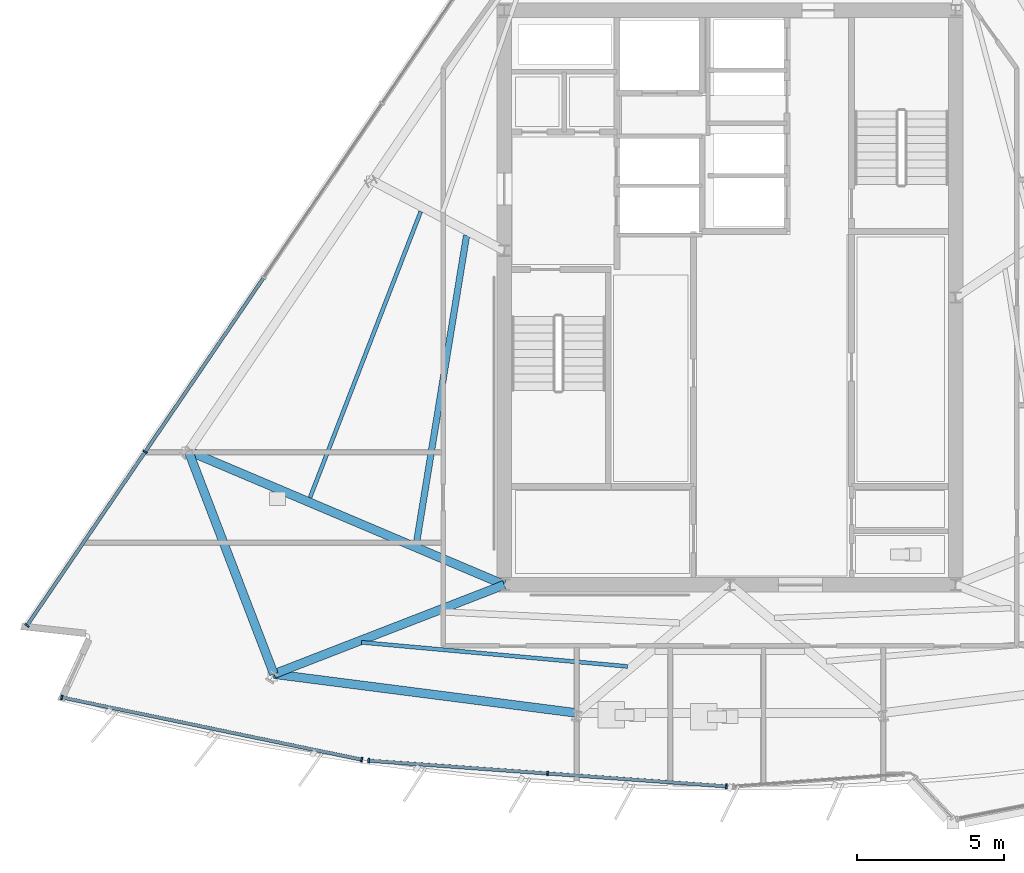
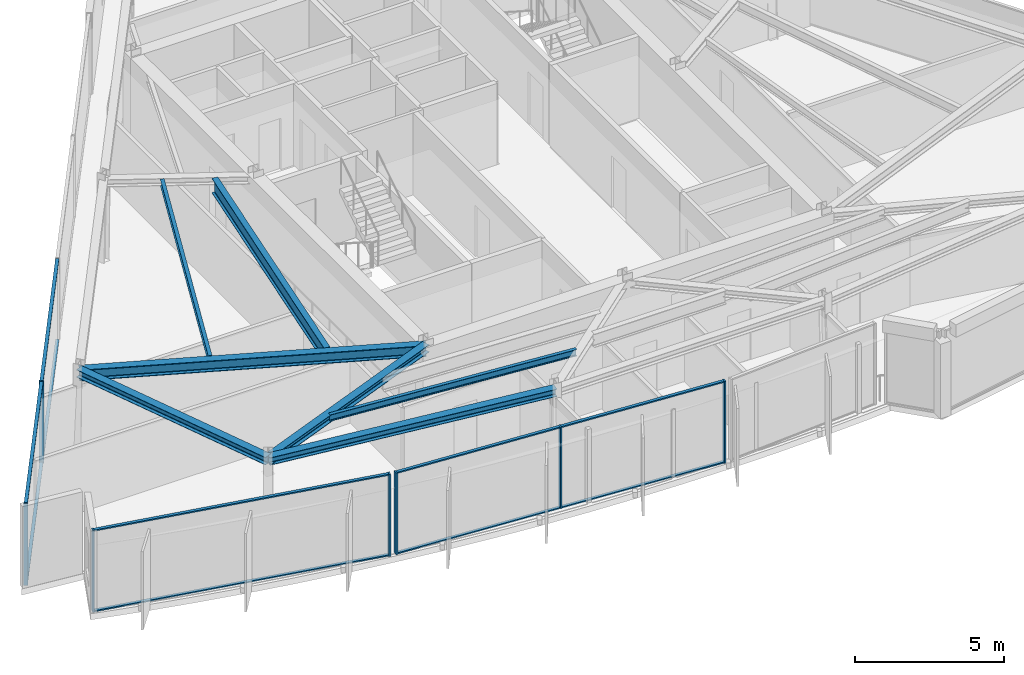
# One storey, part 2 of 13: 17 members, 7 beams, 3 elements without a shape of their own.
"""IFC4 building model written with IfcOpenShell, lengths in metres."""

from ifc_helpers import new_model, si_unit, direction, frame, origin, origin_2d, place, context, subcontext, project, spatial, rectangle, i_section, extrude, material, material_profile, profile_set, type_object, element, aggregate, save


model = new_model("IFC4")

# Units and contexts
model_context = context("Model", 3, precision=1e-05, world=origin(), true_north=direction((0.0, 1.0)))
body_context = subcontext(model_context, "Body", "Model", "MODEL_VIEW")
ifc_project = project(units=[si_unit("LENGTHUNIT", "METRE"), si_unit("AREAUNIT", "SQUARE_METRE"), si_unit("VOLUMEUNIT", "CUBIC_METRE"), si_unit("PLANEANGLEUNIT", "RADIAN"), si_unit("MASSUNIT", "GRAM", prefix="KILO")], contexts=[model_context])

# Site, building, storey
site_placement = place(None, origin())
site = spatial("IfcSite", under=ifc_project, at=site_placement, CompositionType="ELEMENT")
building_placement = place(site_placement, origin())
building = spatial("IfcBuilding", under=site, at=building_placement, Name="Savorim Split Tower", CompositionType="ELEMENT")
storey_placement = place(building_placement, frame((0.0, 0.0, 265.199951171875)))
storey = spatial("IfcBuildingStorey", under=building, at=storey_placement, Name="L70", CompositionType="ELEMENT", Elevation=265.199951171875)

# Beams
ifc_material_1 = material(Name="Steel S355", Category="steel")
ifc_material_profile_1 = material_profile(ifc_material_1, i_section(OverallWidth=0.135009765625, OverallDepth=0.27001953125, WebThickness=0.006591796875, FlangeThickness=0.01025390625, FilletRadius=0.014892578125, at=origin_2d()), Name="IPE 270")
ifc_profile_set_1 = profile_set([ifc_material_profile_1], Name="Steel S355")
beam_type_1 = type_object("IfcBeamType", Name="BM-JST-IPE270", PredefinedType="JOIST", material=ifc_profile_set_1)
beam_1_placement = place(storey_placement, frame((-12.569580078125, -11.364501953125, 3.215087890625), z_axis=(0.99592827661, -0.090149142248, 0.0), x_axis=(0.090149142248, 0.99592827661, 0.0)))
element("IfcBeam", 1, at=beam_1_placement, inside=storey, type_object=beam_type_1, Name="L70 Secondary Floor Joist JS-01", PredefinedType="JOIST", context=body_context, shape_type="SweptSolid", body=[
    extrude(i_section(OverallWidth=0.135009765625, OverallDepth=0.27001953125, WebThickness=0.006591796875, FlangeThickness=0.01025390625, FilletRadius=0.014892578125, at=origin_2d()), origin(), (0.0, 0.0, 1.0), 9.1103515625),
])
beam_2_placement = place(storey_placement, frame((-10.550537109375, 3.330078125, 3.215087890625), z_axis=(-0.360951519163, -0.932584581051, 0.0), x_axis=(0.932584581051, -0.360951519163, 0.0)))
element("IfcBeam", 2, at=beam_2_placement, inside=storey, type_object=beam_type_1, Name="L70 Secondary Floor Joist JS-10", PredefinedType="JOIST", context=body_context, shape_type="SweptSolid", body=[
    extrude(i_section(OverallWidth=0.135009765625, OverallDepth=0.27001953125, WebThickness=0.006591796875, FlangeThickness=0.01025390625, FilletRadius=0.014892578125, at=origin_2d()), origin(), (0.0, 0.0, 1.0), 10.454833984375),
])
ifc_material_profile_2 = material_profile(ifc_material_1, i_section(OverallWidth=0.219970703125, OverallDepth=0.60009765625, WebThickness=0.011962890625, FlangeThickness=0.01904296875, FilletRadius=0.02392578125, at=origin_2d()), Name="IPE 600")
ifc_profile_set_2 = profile_set([ifc_material_profile_2], Name="Steel S355")
beam_type_2 = type_object("IfcBeamType", Name="BM-JST-IPE600", PredefinedType="JOIST", material=ifc_profile_set_2)
beam_3_placement = place(storey_placement, frame((-8.987060546875, 2.51025390625, 3.050048828125), z_axis=(-0.160655795437, -0.987010494064, 0.0), x_axis=(0.987010494064, -0.160655795437, 0.0)))
element("IfcBeam", 3, at=beam_3_placement, inside=storey, type_object=beam_type_2, Name="L70 Secondary Floor Joist JS-11", PredefinedType="JOIST", context=body_context, shape_type="SweptSolid", body=[
    extrude(i_section(OverallWidth=0.219970703125, OverallDepth=0.60009765625, WebThickness=0.011962890625, FlangeThickness=0.01904296875, FilletRadius=0.02392578125, at=origin_2d()), origin(), (0.0, 0.0, 1.0), 10.61181640625),
])
ifc_material_profile_3 = material_profile(ifc_material_1, i_section(OverallWidth=0.300048828125, OverallDepth=0.300048828125, WebThickness=0.010986328125, FlangeThickness=0.01904296875, FilletRadius=0.027099609375, at=origin_2d()), Name="HEB 300")
ifc_profile_set_3 = profile_set([ifc_material_profile_3], Name="Steel S355")
beam_type_3 = type_object("IfcBeamType", Name="BM-PRI-HEB300", PredefinedType="BEAM", material=ifc_profile_set_3)
beam_4_placement = place(storey_placement, frame((-15.5576171875, -12.447021484375, 3.199951171875), z_axis=(0.932350547617, 0.361555606177, 0.0), x_axis=(-0.361555606177, 0.932350547617, 0.0)))
element("IfcBeam", 4, at=beam_4_placement, inside=storey, type_object=beam_type_3, Name="L70 Primary Floor Girder RG-01", PredefinedType="BEAM", context=body_context, shape_type="SweptSolid", body=[
    extrude(i_section(OverallWidth=0.300048828125, OverallDepth=0.300048828125, WebThickness=0.010986328125, FlangeThickness=0.01904296875, FilletRadius=0.027099609375, at=origin_2d()), origin(), (0.0, 0.0, 1.0), 8.427734375),
])
ifc_material_profile_4 = material_profile(ifc_material_1, i_section(OverallWidth=0.300048828125, OverallDepth=0.449951171875, WebThickness=0.013916015625, FlangeThickness=0.02587890625, FilletRadius=0.027099609375, at=origin_2d()), Name="HEB 450")
ifc_profile_set_4 = profile_set([ifc_material_profile_4], Name="Steel S355")
beam_type_4 = type_object("IfcBeamType", Name="BM-PRI-HEB450", PredefinedType="BEAM", material=ifc_profile_set_4)
beam_5_placement = place(storey_placement, frame((-18.47705078125, -4.834228515625, 3.125), z_axis=(0.920779151092, -0.390084292064, 0.0), x_axis=(0.390084292064, 0.920779151092, 0.0)))
element("IfcBeam", 5, at=beam_5_placement, inside=storey, type_object=beam_type_4, Name="L70 Primary Floor Girder RG-10", PredefinedType="BEAM", context=body_context, shape_type="SweptSolid", body=[
    extrude(i_section(OverallWidth=0.300048828125, OverallDepth=0.449951171875, WebThickness=0.013916015625, FlangeThickness=0.02587890625, FilletRadius=0.027099609375, at=origin_2d()), origin(), (0.0, 0.0, 1.0), 11.704345703125),
])
ifc_material_profile_5 = material_profile(ifc_material_1, i_section(OverallWidth=0.300048828125, OverallDepth=0.31005859375, WebThickness=0.009033203125, FlangeThickness=0.015380859375, FilletRadius=0.027099609375, at=origin_2d()), Name="HEA 320")
ifc_profile_set_5 = profile_set([ifc_material_profile_5], Name="Steel S355")
beam_type_5 = type_object("IfcBeamType", Name="BM-SPN-HEA320", PredefinedType="SPANDREL", material=ifc_profile_set_5)
beam_6_placement = place(storey_placement, frame((-15.5576171875, -12.447021484375, 3.195068359375), z_axis=(0.991857038743, -0.12735625111, 0.0), x_axis=(0.12735625111, 0.991857038743, 0.0)))
element("IfcBeam", 6, at=beam_6_placement, inside=storey, type_object=beam_type_5, Name="L70 Perimeter Spandrel Beam 1", PredefinedType="SPANDREL", context=body_context, shape_type="SweptSolid", body=[
    extrude(i_section(OverallWidth=0.300048828125, OverallDepth=0.31005859375, WebThickness=0.009033203125, FlangeThickness=0.015380859375, FilletRadius=0.027099609375, at=origin_2d()), origin(), (0.0, 0.0, 1.0), 10.428466796875),
])
beam_7_placement = place(storey_placement, frame((-18.47705078125, -4.834228515625, 3.195068359375), z_axis=(0.358063933362, -0.933697070588, 0.0), x_axis=(0.933697070588, 0.358063933362, 0.0)))
element("IfcBeam", 7, at=beam_7_placement, inside=storey, type_object=beam_type_5, Name="L70 Perimeter Spandrel Beam 10", PredefinedType="SPANDREL", context=body_context, shape_type="SweptSolid", body=[
    extrude(i_section(OverallWidth=0.300048828125, OverallDepth=0.31005859375, WebThickness=0.009033203125, FlangeThickness=0.015380859375, FilletRadius=0.027099609375, at=origin_2d()), origin(), (0.0, 0.0, 1.0), 8.1533203125),
])

# Curtain wall, members
ifc_material_2 = material(Name="Dark Ceramic-Fritted Insulated Glass", Category="glass")
curtain_wall_type = type_object("IfcCurtainWallType", Name="CW-TWR-FRIT-B", PredefinedType="NOTDEFINED", material=ifc_material_2)
curtain_wall_1_placement = place(storey_placement, origin())
curtain_wall_1 = element("IfcCurtainWall", 8, at=curtain_wall_1_placement, inside=storey, type_object=curtain_wall_type, Name="L70 Curtain Wall CW-L70-SF1A", PredefinedType="NOTDEFINED")
ifc_material_3 = material(Name="Charcoal Anodised Aluminium", Category="aluminium")
ifc_material_profile_6 = material_profile(ifc_material_3, rectangle(XDim=0.159912109375, YDim=0.06005859375, at=origin_2d()), Name="ALU-M 160x60")
ifc_profile_set_6 = profile_set([ifc_material_profile_6], Name="Charcoal Anodised Aluminium")
member_type_1 = type_object("IfcMemberType", Name="CWM-160x60", PredefinedType="MULLION", material=ifc_profile_set_6)
member_1_placement = place(storey_placement, frame((-22.79541015625, -13.24169921875, 0.0), z_axis=(0.0, 0.0, 1.0), x_axis=(0.20321026105, 0.979135123364, 0.0)))
member_1 = element("IfcMember", 9, at=member_1_placement, type_object=member_type_1, Name="CW-03 mullion 1", PredefinedType="MULLION", context=body_context, shape_type="SweptSolid", body=[
    extrude(rectangle(XDim=0.159912109375, YDim=0.06005859375, at=origin_2d()), origin(), (0.0, 0.0, 1.0), 3.35009765625),
])
member_2_placement = place(storey_placement, frame((-12.563232421875, -15.365234375, 0.0), z_axis=(0.0, 0.0, 1.0), x_axis=(0.20321026105, 0.979135123364, 0.0)))
member_2 = element("IfcMember", 10, at=member_2_placement, type_object=member_type_1, Name="CW-03 mullion 2", PredefinedType="MULLION", context=body_context, shape_type="SweptSolid", body=[
    extrude(rectangle(XDim=0.159912109375, YDim=0.06005859375, at=origin_2d()), origin(), (0.0, 0.0, 1.0), 3.35009765625),
])

curtain_wall_2_placement = place(storey_placement, origin())
curtain_wall_2 = element("IfcCurtainWall", 11, at=curtain_wall_2_placement, inside=storey, type_object=curtain_wall_type, Name="L70 Curtain Wall CW-L70-SF2A", PredefinedType="NOTDEFINED")
member_3_placement = place(storey_placement, frame((-12.322265625, -15.39892578125, 0.0), z_axis=(0.0, 0.0, 1.0), x_axis=(0.071564439004, 0.997435978432, 0.0)))
member_3 = element("IfcMember", 12, at=member_3_placement, type_object=member_type_1, Name="CW-03 mullion 1", PredefinedType="MULLION", context=body_context, shape_type="SweptSolid", body=[
    extrude(rectangle(XDim=0.159912109375, YDim=0.06005859375, at=origin_2d()), origin(), (0.0, 0.0, 1.0), 3.35009765625),
])
member_4_placement = place(storey_placement, frame((-6.2216796875, -15.836669921875, 0.0), z_axis=(0.0, 0.0, 1.0), x_axis=(0.071564439004, 0.997435978432, 0.0)))
member_4 = element("IfcMember", 13, at=member_4_placement, type_object=member_type_1, Name="CW-03 mullion 2", PredefinedType="MULLION", context=body_context, shape_type="SweptSolid", body=[
    extrude(rectangle(XDim=0.159912109375, YDim=0.06005859375, at=origin_2d()), origin(), (0.0, 0.0, 1.0), 3.35009765625),
])
member_5_placement = place(storey_placement, frame((-0.12109375, -16.274169921875, 0.0), z_axis=(0.0, 0.0, 1.0), x_axis=(0.071564439004, 0.997435978432, 0.0)))
member_5 = element("IfcMember", 14, at=member_5_placement, type_object=member_type_1, Name="CW-03 mullion 3", PredefinedType="MULLION", context=body_context, shape_type="SweptSolid", body=[
    extrude(rectangle(XDim=0.159912109375, YDim=0.06005859375, at=origin_2d()), origin(), (0.0, 0.0, 1.0), 3.35009765625),
])

curtain_wall_3_placement = place(storey_placement, origin())
curtain_wall_3 = element("IfcCurtainWall", 15, at=curtain_wall_3_placement, inside=storey, type_object=curtain_wall_type, Name="L70 Curtain Wall CW-L70-WEST", PredefinedType="NOTDEFINED")
member_6_placement = place(storey_placement, frame((-19.951904296875, -4.8671875, 0.0), z_axis=(0.0, 0.0, 1.0), x_axis=(0.826817472755, -0.562470325215, 0.0)))
member_6 = element("IfcMember", 16, at=member_6_placement, type_object=member_type_1, Name="CW-03 mullion 4", PredefinedType="MULLION", context=body_context, shape_type="SweptSolid", body=[
    extrude(rectangle(XDim=0.159912109375, YDim=0.06005859375, at=origin_2d()), origin(), (0.0, 0.0, 1.0), 3.35009765625),
])
member_7_placement = place(storey_placement, frame((-23.97998046875, -10.78857421875, 0.0), z_axis=(0.0, 0.0, 1.0), x_axis=(0.826817472755, -0.562470325215, 0.0)))
member_7 = element("IfcMember", 17, at=member_7_placement, type_object=member_type_1, Name="CW-03 mullion 5", PredefinedType="MULLION", context=body_context, shape_type="SweptSolid", body=[
    extrude(rectangle(XDim=0.159912109375, YDim=0.06005859375, at=origin_2d()), origin(), (0.0, 0.0, 1.0), 3.35009765625),
])

# Member
ifc_material_profile_7 = material_profile(ifc_material_3, rectangle(XDim=0.1201171875, YDim=0.050048828125, at=origin_2d()), Name="ALU-T 120x50")
ifc_profile_set_7 = profile_set([ifc_material_profile_7], Name="Charcoal Anodised Aluminium")
member_type_2 = type_object("IfcMemberType", Name="CWT-120x50", PredefinedType="USERDEFINED", material=ifc_profile_set_7)
member_8_placement = place(storey_placement, frame((-22.76611328125, -13.247802734375, 0.025146484375), z_axis=(0.979137101237, -0.20320073076, 0.0), x_axis=(0.20320073076, 0.979137101237, 0.0)))
member_8 = element("IfcMember", 18, at=member_8_placement, type_object=member_type_2, Name="CW-03 transom 1.1", ObjectType="TRANSOM", PredefinedType="USERDEFINED", context=body_context, shape_type="SweptSolid", body=[
    extrude(rectangle(XDim=0.1201171875, YDim=0.050048828125, at=origin_2d()), origin(), (0.0, 0.0, 1.0), 10.390380859375),
])

member_9_placement = place(storey_placement, frame((-22.76611328125, -13.247802734375, 3.324951171875), z_axis=(0.979137101237, -0.20320073076, 0.0), x_axis=(0.20320073076, 0.979137101237, 0.0)))
member_9 = element("IfcMember", 19, at=member_9_placement, type_object=member_type_2, Name="CW-03 transom 1.2", ObjectType="TRANSOM", PredefinedType="USERDEFINED", context=body_context, shape_type="SweptSolid", body=[
    extrude(rectangle(XDim=0.1201171875, YDim=0.050048828125, at=origin_2d()), origin(), (0.0, 0.0, 1.0), 10.390380859375),
])

aggregate(curtain_wall_1, [member_1, member_2, member_8, member_9])

member_10_placement = place(storey_placement, frame((-12.292236328125, -15.40087890625, 0.025146484375), z_axis=(0.997433879583, -0.071593685897, 0.0), x_axis=(0.071593685897, 0.997433879583, 0.0)))
member_10 = element("IfcMember", 20, at=member_10_placement, type_object=member_type_2, Name="CW-03 transom 1.1", ObjectType="TRANSOM", PredefinedType="USERDEFINED", context=body_context, shape_type="SweptSolid", body=[
    extrude(rectangle(XDim=0.1201171875, YDim=0.050048828125, at=origin_2d()), origin(), (0.0, 0.0, 1.0), 6.056396484375),
])

member_11_placement = place(storey_placement, frame((-12.292236328125, -15.40087890625, 3.324951171875), z_axis=(0.997433879583, -0.071593685897, 0.0), x_axis=(0.071593685897, 0.997433879583, 0.0)))
member_11 = element("IfcMember", 21, at=member_11_placement, type_object=member_type_2, Name="CW-03 transom 1.2", ObjectType="TRANSOM", PredefinedType="USERDEFINED", context=body_context, shape_type="SweptSolid", body=[
    extrude(rectangle(XDim=0.1201171875, YDim=0.050048828125, at=origin_2d()), origin(), (0.0, 0.0, 1.0), 6.056396484375),
])

member_12_placement = place(storey_placement, frame((-6.191650390625, -15.838623046875, 0.025146484375), z_axis=(0.997433672946, -0.071596564674, 0.0), x_axis=(0.071596564674, 0.997433672946, 0.0)))
member_12 = element("IfcMember", 22, at=member_12_placement, type_object=member_type_2, Name="CW-03 transom 2.1", ObjectType="TRANSOM", PredefinedType="USERDEFINED", context=body_context, shape_type="SweptSolid", body=[
    extrude(rectangle(XDim=0.1201171875, YDim=0.050048828125, at=origin_2d()), origin(), (0.0, 0.0, 1.0), 6.05615234375),
])

member_13_placement = place(storey_placement, frame((-6.191650390625, -15.838623046875, 3.324951171875), z_axis=(0.997433672946, -0.071596564674, 0.0), x_axis=(0.071596564674, 0.997433672946, 0.0)))
member_13 = element("IfcMember", 23, at=member_13_placement, type_object=member_type_2, Name="CW-03 transom 2.2", ObjectType="TRANSOM", PredefinedType="USERDEFINED", context=body_context, shape_type="SweptSolid", body=[
    extrude(rectangle(XDim=0.1201171875, YDim=0.050048828125, at=origin_2d()), origin(), (0.0, 0.0, 1.0), 6.05615234375),
])

aggregate(curtain_wall_2, [member_3, member_4, member_5, member_10, member_11, member_12, member_13])

member_14_placement = place(storey_placement, frame((-15.923828125, 1.053955078125, 0.025146484375), z_axis=(-0.562465450543, -0.826820788893, 0.0), x_axis=(0.826820788893, -0.562465450543, 0.0)))
member_14 = element("IfcMember", 24, at=member_14_placement, type_object=member_type_2, Name="CW-03 transom 3.1", ObjectType="TRANSOM", PredefinedType="USERDEFINED", context=body_context, shape_type="SweptSolid", body=[
    extrude(rectangle(XDim=0.1201171875, YDim=0.050048828125, at=origin_2d()), origin(), (0.0, 0.0, 1.0), 7.131591796875),
])

member_15_placement = place(storey_placement, frame((-15.923828125, 1.053955078125, 3.324951171875), z_axis=(-0.562465450543, -0.826820788893, 0.0), x_axis=(0.826820788893, -0.562465450543, 0.0)))
member_15 = element("IfcMember", 25, at=member_15_placement, type_object=member_type_2, Name="CW-03 transom 3.2", ObjectType="TRANSOM", PredefinedType="USERDEFINED", context=body_context, shape_type="SweptSolid", body=[
    extrude(rectangle(XDim=0.1201171875, YDim=0.050048828125, at=origin_2d()), origin(), (0.0, 0.0, 1.0), 7.131591796875),
])

member_16_placement = place(storey_placement, frame((-19.96875, -4.89208984375, 0.025146484375), z_axis=(-0.562474570512, -0.826814584733, 0.0), x_axis=(0.826814584733, -0.562474570512, 0.0)))
member_16 = element("IfcMember", 26, at=member_16_placement, type_object=member_type_2, Name="CW-03 transom 4.1", ObjectType="TRANSOM", PredefinedType="USERDEFINED", context=body_context, shape_type="SweptSolid", body=[
    extrude(rectangle(XDim=0.1201171875, YDim=0.050048828125, at=origin_2d()), origin(), (0.0, 0.0, 1.0), 7.1015625),
])

member_17_placement = place(storey_placement, frame((-19.96875, -4.89208984375, 3.324951171875), z_axis=(-0.562474570512, -0.826814584733, 0.0), x_axis=(0.826814584733, -0.562474570512, 0.0)))
member_17 = element("IfcMember", 27, at=member_17_placement, type_object=member_type_2, Name="CW-03 transom 4.2", ObjectType="TRANSOM", PredefinedType="USERDEFINED", context=body_context, shape_type="SweptSolid", body=[
    extrude(rectangle(XDim=0.1201171875, YDim=0.050048828125, at=origin_2d()), origin(), (0.0, 0.0, 1.0), 7.1015625),
])

aggregate(curtain_wall_3, [member_6, member_7, member_14, member_15, member_16, member_17])

save(model, "model.ifc")
